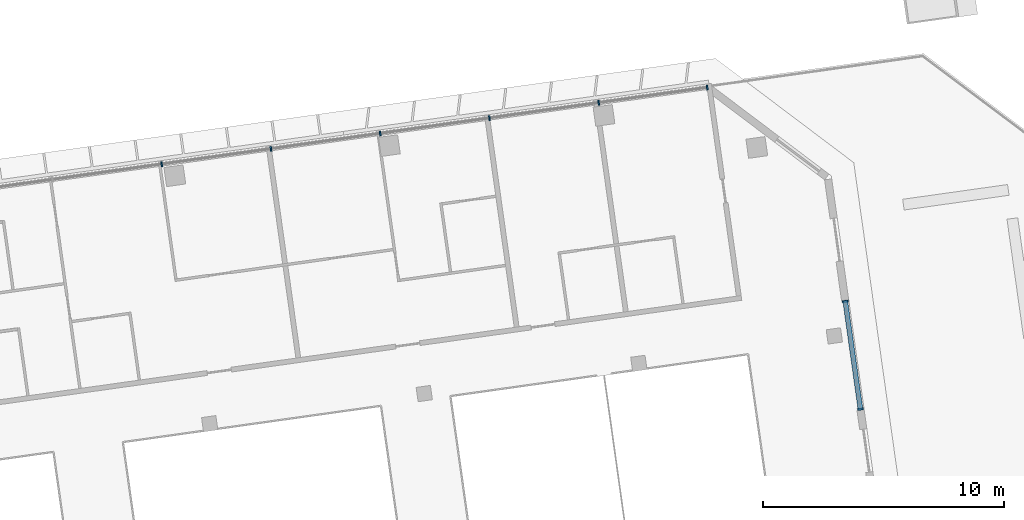
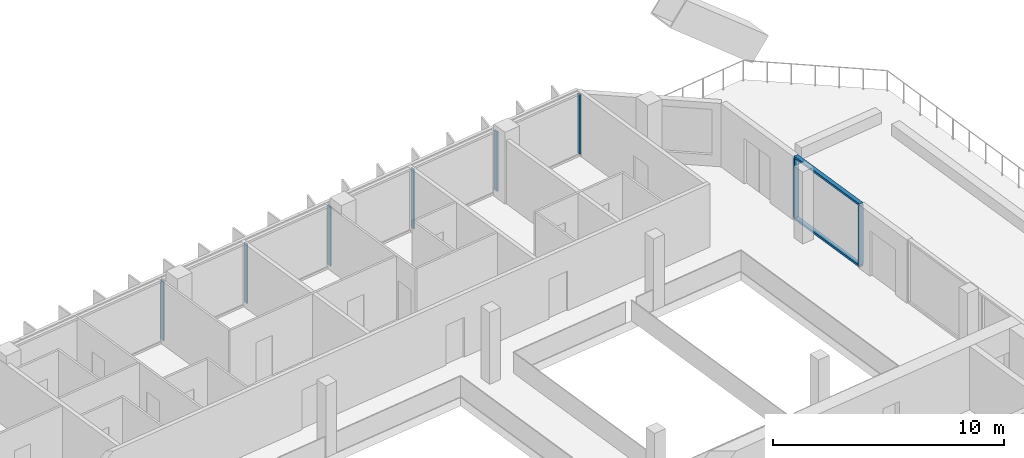
# One storey, part 11 of 23: 10 members, 2 elements without a shape of their own.
"""IFC4 building model written with IfcOpenShell, lengths in metres."""

from ifc_helpers import new_model, si_unit, direction, frame, origin, origin_2d, place, context, subcontext, project, spatial, rectangle, extrude, material, material_profile, profile_set, type_object, element, aggregate, save


model = new_model("IFC4")

# Units and contexts
model_context = context("Model", 3, precision=1e-05, world=origin(), true_north=direction((0.0, 1.0)))
body_context = subcontext(model_context, "Body", "Model", "MODEL_VIEW")
ifc_project = project(units=[si_unit("LENGTHUNIT", "METRE"), si_unit("AREAUNIT", "SQUARE_METRE"), si_unit("VOLUMEUNIT", "CUBIC_METRE"), si_unit("PLANEANGLEUNIT", "RADIAN"), si_unit("MASSUNIT", "GRAM", prefix="KILO")], contexts=[model_context])

# Site, building, storey
site_placement = place(None, origin())
site = spatial("IfcSite", under=ifc_project, at=site_placement, CompositionType="ELEMENT")
building_placement = place(site_placement, origin())
building = spatial("IfcBuilding", under=site, at=building_placement, Name="Mirante Cascada Hotel Towers", CompositionType="ELEMENT")
storey_placement = place(building_placement, frame((0.0, 0.0, 180.2)))
storey = spatial("IfcBuildingStorey", under=building, at=storey_placement, Name="L42", CompositionType="ELEMENT", Elevation=180.2)

# Curtain wall, members
ifc_material_1 = material(Name="Aluminium mullion and transom frame with clear laminated glass", Category="aluminium")
curtain_wall_type_1 = type_object("IfcCurtainWallType", Name="Ribbon curtain wall ECW1", PredefinedType="NOTDEFINED", material=ifc_material_1)
curtain_wall_1_placement = place(storey_placement, origin())
curtain_wall_1 = element("IfcCurtainWall", 1, at=curtain_wall_1_placement, inside=storey, type_object=curtain_wall_type_1, Name="Front ribbon wall T2 L42", PredefinedType="NOTDEFINED")
ifc_material_2 = material(Name="Anodised aluminium extrusion", Category="aluminium")
ifc_material_profile_1 = material_profile(ifc_material_2, rectangle(XDim=0.2, YDim=0.065, at=origin_2d()), Name="ECW1 MULLION 65x200")
ifc_profile_set_1 = profile_set([ifc_material_profile_1], Name="Anodised aluminium extrusion")
member_type_1 = type_object("IfcMemberType", Name="ECW1 mullion 65x200", PredefinedType="MULLION", material=ifc_profile_set_1)
member_1_placement = place(storey_placement, frame((76.3011, 23.5425, 0.1), z_axis=(0.0, 0.0, 1.0), x_axis=(0.1391731, -0.9902681, 0.0)))
member_1 = element("IfcMember", 2, at=member_1_placement, type_object=member_type_1, Name="ECW1 mullion 1", PredefinedType="MULLION", context=body_context, shape_type="SweptSolid", body=[
    extrude(rectangle(XDim=0.2, YDim=0.065, at=origin_2d()), origin(), (0.0, 0.0, 1.0), 3.15),
])
member_2_placement = place(storey_placement, frame((71.7955, 22.9092, 0.1), z_axis=(0.0, 0.0, 1.0), x_axis=(0.1391731, -0.9902681, 0.0)))
member_2 = element("IfcMember", 3, at=member_2_placement, type_object=member_type_1, Name="ECW1 mullion 2", PredefinedType="MULLION", context=body_context, shape_type="SweptSolid", body=[
    extrude(rectangle(XDim=0.2, YDim=0.065, at=origin_2d()), origin(), (0.0, 0.0, 1.0), 3.15),
])
member_3_placement = place(storey_placement, frame((67.2578, 22.2715, 0.1), z_axis=(0.0, 0.0, 1.0), x_axis=(0.1391731, -0.9902681, 0.0)))
member_3 = element("IfcMember", 4, at=member_3_placement, type_object=member_type_1, Name="ECW1 mullion 3", PredefinedType="MULLION", context=body_context, shape_type="SweptSolid", body=[
    extrude(rectangle(XDim=0.2, YDim=0.065, at=origin_2d()), origin(), (0.0, 0.0, 1.0), 3.15),
])
member_4_placement = place(storey_placement, frame((62.72, 21.6337, 0.1), z_axis=(0.0, 0.0, 1.0), x_axis=(0.1391731, -0.9902681, 0.0)))
member_4 = element("IfcMember", 5, at=member_4_placement, type_object=member_type_1, Name="ECW1 mullion 4", PredefinedType="MULLION", context=body_context, shape_type="SweptSolid", body=[
    extrude(rectangle(XDim=0.2, YDim=0.065, at=origin_2d()), origin(), (0.0, 0.0, 1.0), 3.15),
])
member_5_placement = place(storey_placement, frame((58.1822, 20.996, 0.1), z_axis=(0.0, 0.0, 1.0), x_axis=(0.1391731, -0.9902681, 0.0)))
member_5 = element("IfcMember", 6, at=member_5_placement, type_object=member_type_1, Name="ECW1 mullion 5", PredefinedType="MULLION", context=body_context, shape_type="SweptSolid", body=[
    extrude(rectangle(XDim=0.2, YDim=0.065, at=origin_2d()), origin(), (0.0, 0.0, 1.0), 3.15),
])
member_6_placement = place(storey_placement, frame((53.6444, 20.3583, 0.1), z_axis=(0.0, 0.0, 1.0), x_axis=(0.1391731, -0.9902681, 0.0)))
member_6 = element("IfcMember", 7, at=member_6_placement, type_object=member_type_1, Name="ECW1 mullion 6", PredefinedType="MULLION", context=body_context, shape_type="SweptSolid", body=[
    extrude(rectangle(XDim=0.2, YDim=0.065, at=origin_2d()), origin(), (0.0, 0.0, 1.0), 3.15),
])
aggregate(curtain_wall_1, [member_1, member_2, member_3, member_4, member_5, member_6])

ifc_material_3 = material(Name="Aluminium mullion and transom frame with clear laminated glass", Category="aluminium")
curtain_wall_type_2 = type_object("IfcCurtainWallType", Name="Sky garden curtain wall ECW4", PredefinedType="NOTDEFINED", material=ifc_material_3)
curtain_wall_2_placement = place(storey_placement, origin())
curtain_wall_2 = element("IfcCurtainWall", 8, at=curtain_wall_2_placement, inside=storey, type_object=curtain_wall_type_2, Name="Sky garden wall T2 L42 run 3", PredefinedType="NOTDEFINED")
ifc_material_4 = material(Name="Anodised aluminium extrusion", Category="aluminium")
ifc_material_profile_2 = material_profile(ifc_material_4, rectangle(XDim=0.24, YDim=0.075, at=origin_2d()), Name="ECW4 MULLION 75x240")
ifc_profile_set_2 = profile_set([ifc_material_profile_2], Name="Anodised aluminium extrusion")
member_type_2 = type_object("IfcMemberType", Name="ECW4 mullion 75x240", PredefinedType="MULLION", material=ifc_profile_set_2)
member_7_placement = place(storey_placement, frame((82.6666, 10.1859, 0.11), z_axis=(0.0, 0.0, 1.0), x_axis=(-0.9902681, -0.1391731, 0.0)))
member_7 = element("IfcMember", 9, at=member_7_placement, type_object=member_type_2, Name="ECW4 mullion 1", PredefinedType="MULLION", context=body_context, shape_type="SweptSolid", body=[
    extrude(rectangle(XDim=0.24, YDim=0.075, at=origin_2d()), origin(), (0.0, 0.0, 1.0), 3.13),
])
member_8_placement = place(storey_placement, frame((82.0368, 14.6668, 0.11), z_axis=(0.0, 0.0, 1.0), x_axis=(-0.9902681, -0.1391731, 0.0)))
member_8 = element("IfcMember", 10, at=member_8_placement, type_object=member_type_2, Name="ECW4 mullion 2", PredefinedType="MULLION", context=body_context, shape_type="SweptSolid", body=[
    extrude(rectangle(XDim=0.24, YDim=0.075, at=origin_2d()), origin(), (0.0, 0.0, 1.0), 3.13),
])
ifc_material_5 = material(Name="Anodised aluminium extrusion", Category="aluminium")
ifc_material_profile_3 = material_profile(ifc_material_5, rectangle(XDim=0.2, YDim=0.11, at=origin_2d()), Name="ECW4 TRANSOM 110x200")
ifc_profile_set_3 = profile_set([ifc_material_profile_3], Name="Anodised aluminium extrusion")
member_type_3 = type_object("IfcMemberType", Name="ECW4 transom 110x200", PredefinedType="USERDEFINED", material=ifc_profile_set_3)
member_9_placement = place(storey_placement, frame((82.6718, 10.1487, 0.055), z_axis=(-0.1391719, 0.9902682, 0.0), x_axis=(-0.9902682, -0.1391719, 0.0)))
member_9 = element("IfcMember", 11, at=member_9_placement, type_object=member_type_3, Name="ECW4 sill transom", ObjectType="TRANSOM", PredefinedType="USERDEFINED", context=body_context, shape_type="SweptSolid", body=[
    extrude(rectangle(XDim=0.2, YDim=0.11, at=origin_2d()), origin(), (0.0, 0.0, 1.0), 4.6001),
])
member_10_placement = place(storey_placement, frame((82.6718, 10.1487, 3.295), z_axis=(-0.1391719, 0.9902682, 0.0), x_axis=(-0.9902682, -0.1391719, 0.0)))
member_10 = element("IfcMember", 12, at=member_10_placement, type_object=member_type_3, Name="ECW4 head transom", ObjectType="TRANSOM", PredefinedType="USERDEFINED", context=body_context, shape_type="SweptSolid", body=[
    extrude(rectangle(XDim=0.2, YDim=0.11, at=origin_2d()), origin(), (0.0, 0.0, 1.0), 4.6001),
])
aggregate(curtain_wall_2, [member_9, member_10, member_7, member_8])

save(model, "model.ifc")
